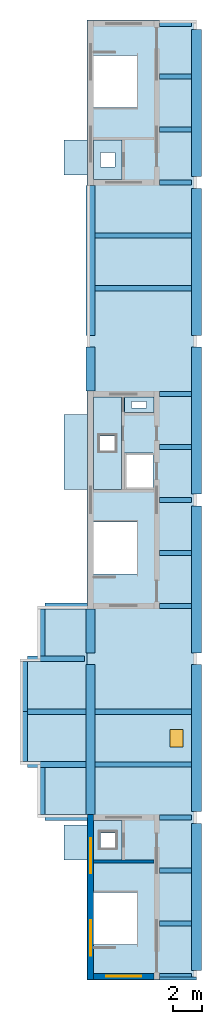
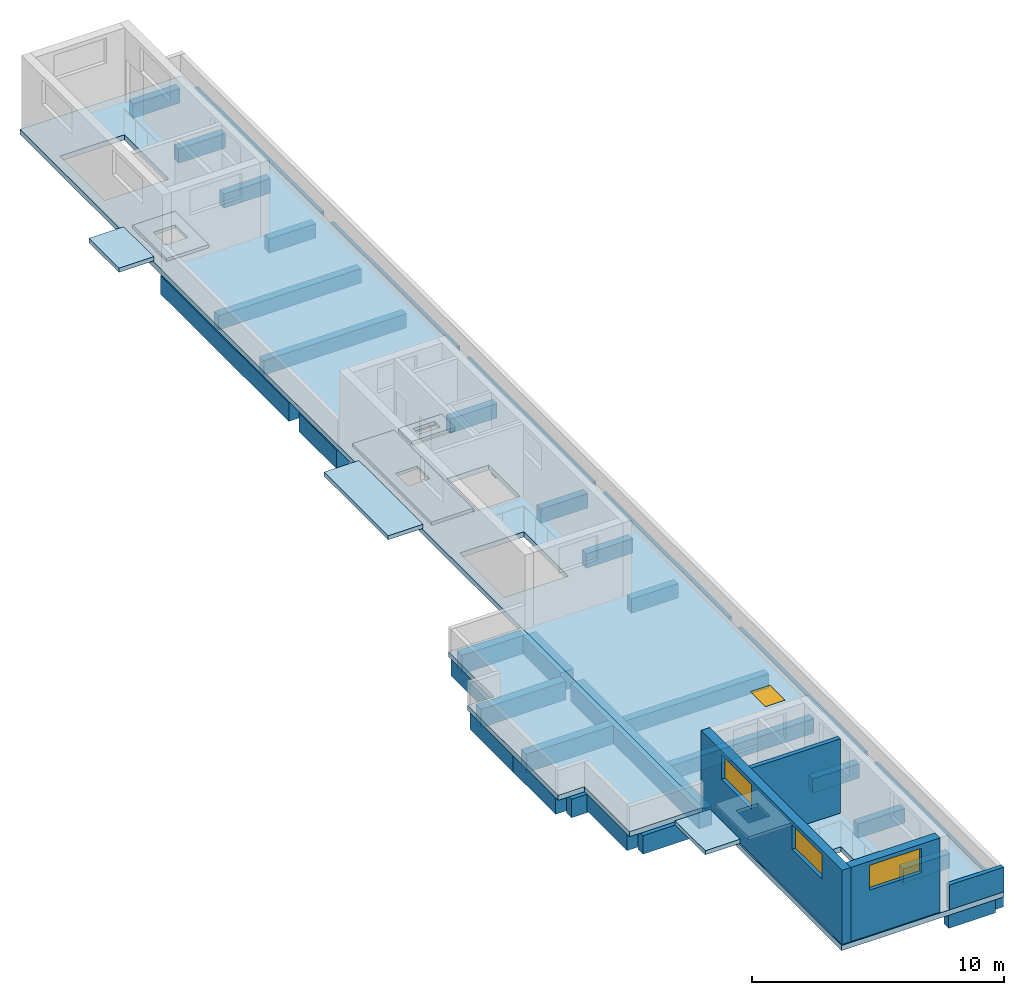
# One storey, part 1 of 4: 36 beams, 9 slabs, 4 walls, 4 windows, 4 openings.
"""IFC4 building model written with IfcOpenShell, lengths in metres."""

from ifc_helpers import new_model, si_unit, direction, frame, frame_2d, origin, origin_2d, place, context, subcontext, project, spatial, polyline, rectangle, outline, extrude, material, layer, layer_set, material_profile, profile_set, type_object, element, fill, save


model = new_model("IFC4")

# Units and contexts
model_context = context("Model", 3, precision=1e-05, world=origin(), true_north=direction((0.0, 1.0)))
body_context = subcontext(model_context, "Body", "Model", "MODEL_VIEW")
ifc_project = project(units=[si_unit("LENGTHUNIT", "METRE"), si_unit("AREAUNIT", "SQUARE_METRE"), si_unit("VOLUMEUNIT", "CUBIC_METRE"), si_unit("PLANEANGLEUNIT", "RADIAN"), si_unit("MASSUNIT", "GRAM", prefix="KILO")], contexts=[model_context])

# Site, building, storey
site_placement = place(None, origin())
site = spatial("IfcSite", under=ifc_project, at=site_placement, CompositionType="ELEMENT")
building_placement = place(site_placement, origin())
building = spatial("IfcBuilding", under=site, at=building_placement, Name="Basin Gate Institute", CompositionType="ELEMENT")
storey_placement = place(building_placement, frame((0.0, 0.0, 75.0)))
storey = spatial("IfcBuildingStorey", under=building, at=storey_placement, Name="RF", CompositionType="ELEMENT", Elevation=75.0)

# Beams
ifc_material_1 = material(Name="Concrete 40 MPa", Category="concrete")
ifc_material_profile_1 = material_profile(ifc_material_1, rectangle(XDim=0.35009765625, YDim=0.699951171875, at=origin_2d()), Name="Beam B1 350 x 700")
ifc_profile_set_1 = profile_set([ifc_material_profile_1], Name="Concrete 40 MPa")
beam_type_1 = type_object("IfcBeamType", Name="Beam B1 R60", PredefinedType="BEAM", material=ifc_profile_set_1)
for number, where, z_axis, x_axis, name in (
    (1, (65.89990234375, 35.10009765625, -0.60009765625), (1.0, 0.0, 0.0), (0.0, 1.0, 0.0), "BEAM/RF/W/CORR/01"),
    (2, (65.89990234375, 38.699951171875, -0.60009765625), (1.0, 0.0, 0.0), (0.0, 1.0, 0.0), "BEAM/RF/W/CORR/02"),
    (3, (65.89990234375, 42.300048828125, -0.60009765625), (1.0, 0.0, 0.0), (0.0, 1.0, 0.0), "BEAM/RF/W/CORR/03"),
    (4, (65.89990234375, 45.89990234375, -0.60009765625), (1.0, 0.0, 0.0), (0.0, 1.0, 0.0), "BEAM/RF/W/CORR/04"),
):
    element("IfcBeam", number, at=place(storey_placement, frame(where, z_axis=z_axis, x_axis=x_axis)), inside=storey, type_object=beam_type_1, material=ifc_profile_set_1, Name=name, PredefinedType="BEAM", context=body_context, shape_type="SweptSolid", body=[
        extrude(rectangle(XDim=0.35009765625, YDim=0.699951171875, at=origin_2d()), origin(), (0.0, 0.0, 1.0), 2.150146484375),
    ])
for number, where, z_axis, x_axis, name in (
    (5, (61.5, 49.5, -0.60009765625), (1.0, 0.0, 0.0), (0.0, 1.0, 0.0), "BEAM/RF/W/OUT/05"),
    (6, (61.5, 53.10009765625, -0.60009765625), (1.0, 0.0, 0.0), (0.0, 1.0, 0.0), "BEAM/RF/W/OUT/06"),
):
    element("IfcBeam", number, at=place(storey_placement, frame(where, z_axis=z_axis, x_axis=x_axis)), inside=storey, type_object=beam_type_1, material=ifc_profile_set_1, Name=name, PredefinedType="BEAM", context=body_context, shape_type="SweptSolid", body=[
        extrude(rectangle(XDim=0.35009765625, YDim=0.699951171875, at=origin_2d()), origin(), (0.0, 0.0, 1.0), 6.550048828125),
    ])
for number, where, z_axis, x_axis, name in (
    (7, (65.89990234375, 60.300048828125, -0.60009765625), (1.0, 0.0, 0.0), (0.0, 1.0, 0.0), "BEAM/RF/W/CORR/08"),
    (8, (65.89990234375, 63.89990234375, -0.60009765625), (1.0, 0.0, 0.0), (0.0, 1.0, 0.0), "BEAM/RF/W/CORR/09"),
    (9, (65.89990234375, 67.5, -0.60009765625), (1.0, 0.0, 0.0), (0.0, 1.0, 0.0), "BEAM/RF/W/CORR/10"),
    (10, (65.89990234375, 71.10009765625, -0.60009765625), (1.0, 0.0, 0.0), (0.0, 1.0, 0.0), "BEAM/RF/W/CORR/11"),
    (11, (65.89990234375, 74.699951171875, -0.60009765625), (1.0, 0.0, 0.0), (0.0, 1.0, 0.0), "BEAM/RF/W/CORR/12"),
):
    element("IfcBeam", number, at=place(storey_placement, frame(where, z_axis=z_axis, x_axis=x_axis)), inside=storey, type_object=beam_type_1, material=ifc_profile_set_1, Name=name, PredefinedType="BEAM", context=body_context, shape_type="SweptSolid", body=[
        extrude(rectangle(XDim=0.35009765625, YDim=0.699951171875, at=origin_2d()), origin(), (0.0, 0.0, 1.0), 2.150146484375),
    ])
for number, where, z_axis, x_axis, name in (
    (12, (61.5, 81.89990234375, -0.60009765625), (1.0, 0.0, 0.0), (0.0, 1.0, 0.0), "BEAM/RF/W/OUT/14"),
    (13, (61.5, 85.5, -0.60009765625), (1.0, 0.0, 0.0), (0.0, 1.0, 0.0), "BEAM/RF/W/OUT/15"),
):
    element("IfcBeam", number, at=place(storey_placement, frame(where, z_axis=z_axis, x_axis=x_axis)), inside=storey, type_object=beam_type_1, material=ifc_profile_set_1, Name=name, PredefinedType="BEAM", context=body_context, shape_type="SweptSolid", body=[
        extrude(rectangle(XDim=0.35009765625, YDim=0.699951171875, at=origin_2d()), origin(), (0.0, 0.0, 1.0), 6.550048828125),
    ])
for number, where, z_axis, x_axis, name in (
    (14, (65.89990234375, 89.10009765625, -0.60009765625), (1.0, 0.0, 0.0), (0.0, 1.0, 0.0), "BEAM/RF/W/CORR/16"),
    (15, (65.89990234375, 92.699951171875, -0.60009765625), (1.0, 0.0, 0.0), (0.0, 1.0, 0.0), "BEAM/RF/W/CORR/17"),
    (16, (65.89990234375, 96.300048828125, -0.60009765625), (1.0, 0.0, 0.0), (0.0, 1.0, 0.0), "BEAM/RF/W/CORR/18"),
    (17, (65.89990234375, 99.89990234375, -0.60009765625), (1.0, 0.0, 0.0), (0.0, 1.0, 0.0), "BEAM/RF/W/CORR/19"),
):
    element("IfcBeam", number, at=place(storey_placement, frame(where, z_axis=z_axis, x_axis=x_axis)), inside=storey, type_object=beam_type_1, material=ifc_profile_set_1, Name=name, PredefinedType="BEAM", context=body_context, shape_type="SweptSolid", body=[
        extrude(rectangle(XDim=0.35009765625, YDim=0.699951171875, at=origin_2d()), origin(), (0.0, 0.0, 1.0), 2.150146484375),
    ])
ifc_material_2 = material(Name="Concrete 50 MPa", Category="concrete")
ifc_material_profile_2 = material_profile(ifc_material_2, rectangle(XDim=0.39990234375, YDim=0.89990234375, at=origin_2d()), Name="Cantilever beam B3 400 x 900")
ifc_profile_set_2 = profile_set([ifc_material_profile_2], Name="Concrete 50 MPa")
beam_type_2 = type_object("IfcBeamType", Name="Cantilever beam B3 R60", PredefinedType="BEAM", material=ifc_profile_set_2)
beam_1_placement = place(storey_placement, frame((58.10009765625, 45.89990234375, -0.699951171875), z_axis=(1.0, 0.0, 0.0), x_axis=(0.0, 1.0, 0.0)))
element("IfcBeam", 18, at=beam_1_placement, inside=storey, type_object=beam_type_2, material=ifc_profile_set_2, Name="BEAM/RF/W/CANT/04", PredefinedType="BEAM", context=body_context, shape_type="SweptSolid", body=[
    extrude(rectangle(XDim=0.39990234375, YDim=0.89990234375, at=origin_2d()), origin(), (0.0, 0.0, 1.0), 2.89990234375),
])
for number, where, z_axis, x_axis, name in (
    (19, (56.89990234375, 49.5, -0.699951171875), (1.0, 0.0, 0.0), (0.0, 1.0, 0.0), "BEAM/RF/W/CANT/05"),
    (20, (56.89990234375, 53.10009765625, -0.699951171875), (1.0, 0.0, 0.0), (0.0, 1.0, 0.0), "BEAM/RF/W/CANT/06"),
):
    element("IfcBeam", number, at=place(storey_placement, frame(where, z_axis=z_axis, x_axis=x_axis)), inside=storey, type_object=beam_type_2, material=ifc_profile_set_2, Name=name, PredefinedType="BEAM", context=body_context, shape_type="SweptSolid", body=[
        extrude(rectangle(XDim=0.39990234375, YDim=0.89990234375, at=origin_2d()), origin(), (0.0, 0.0, 1.0), 4.0),
    ])
beam_2_placement = place(storey_placement, frame((56.89990234375, 56.699951171875, -0.699951171875), z_axis=(1.0, 0.0, 0.0), x_axis=(0.0, 1.0, 0.0)))
element("IfcBeam", 21, at=beam_2_placement, inside=storey, type_object=beam_type_2, material=ifc_profile_set_2, Name="BEAM/RF/W/CANT/07", PredefinedType="BEAM", context=body_context, shape_type="SweptSolid", body=[
    extrude(rectangle(XDim=0.39990234375, YDim=0.89990234375, at=origin_2d()), origin(), (0.0, 0.0, 1.0), 3.900146484375),
])
beam_3_placement = place(storey_placement, frame((58.10009765625, 60.300048828125, -0.699951171875), z_axis=(1.0, 0.0, 0.0), x_axis=(0.0, 1.0, 0.0)))
element("IfcBeam", 22, at=beam_3_placement, inside=storey, type_object=beam_type_2, material=ifc_profile_set_2, Name="BEAM/RF/W/CANT/08", PredefinedType="BEAM", context=body_context, shape_type="SweptSolid", body=[
    extrude(rectangle(XDim=0.39990234375, YDim=0.89990234375, at=origin_2d()), origin(), (0.0, 0.0, 1.0), 2.89990234375),
])
ifc_material_3 = material(Name="Concrete 50 MPa", Category="concrete")
ifc_material_profile_3 = material_profile(ifc_material_3, rectangle(XDim=0.60009765625, YDim=0.89990234375, at=origin_2d()), Name="Edge beam EB1 600 x 900")
ifc_profile_set_3 = profile_set([ifc_material_profile_3], Name="Concrete 50 MPa")
beam_type_3 = type_object("IfcBeamType", Name="Edge beam EB1 R60", PredefinedType="SPANDREL", material=ifc_profile_set_3)
for number, where, z_axis, x_axis, name in (
    (23, (61.199951171875, 46.10009765625, -0.699951171875), (0.0, 1.0, 0.0), (-1.0, 0.0, 0.0), "BEAM/RF/W/EDGE/1"),
    (24, (61.199951171875, 78.699951171875, -0.699951171875), (0.0, 1.0, 0.0), (-1.0, 0.0, 0.0), "BEAM/RF/W/EDGE/4"),
):
    element("IfcBeam", number, at=place(storey_placement, frame(where, z_axis=z_axis, x_axis=x_axis)), inside=storey, type_object=beam_type_3, material=ifc_profile_set_3, Name=name, PredefinedType="SPANDREL", context=body_context, shape_type="SweptSolid", body=[
        extrude(rectangle(XDim=0.60009765625, YDim=0.89990234375, at=origin_2d()), origin(), (0.0, 0.0, 1.0), 10.199951171875),
    ])
ifc_material_4 = material(Name="Concrete 50 MPa", Category="concrete")
ifc_material_profile_4 = material_profile(ifc_material_4, rectangle(XDim=0.60009765625, YDim=0.89990234375, at=origin_2d()), Name="Edge return beam EB3 600 x 900")
ifc_profile_set_4 = profile_set([ifc_material_profile_4], Name="Concrete 50 MPa")
beam_type_4 = type_object("IfcBeamType", Name="Edge return beam EB3 R60", PredefinedType="SPANDREL", material=ifc_profile_set_4)
for number, where, z_axis, x_axis, name in (
    (25, (61.199951171875, 57.10009765625, -0.699951171875), (0.0, 1.0, 0.0), (-1.0, 0.0, 0.0), "BEAM/RF/W/EDGE/2"),
    (26, (61.199951171875, 74.89990234375, -0.699951171875), (0.0, 1.0, 0.0), (-1.0, 0.0, 0.0), "BEAM/RF/W/EDGE/3"),
):
    element("IfcBeam", number, at=place(storey_placement, frame(where, z_axis=z_axis, x_axis=x_axis)), inside=storey, type_object=beam_type_4, material=ifc_profile_set_4, Name=name, PredefinedType="SPANDREL", context=body_context, shape_type="SweptSolid", body=[
        extrude(rectangle(XDim=0.60009765625, YDim=0.89990234375, at=origin_2d()), origin(), (0.0, 0.0, 1.0), 3.0),
    ])
ifc_material_5 = material(Name="Concrete 50 MPa", Category="concrete")
ifc_material_profile_5 = material_profile(ifc_material_5, rectangle(XDim=0.699951171875, YDim=1.0, at=origin_2d()), Name="Girder G1 700 x 1000")
ifc_profile_set_5 = profile_set([ifc_material_profile_5], Name="Concrete 50 MPa")
beam_type_5 = type_object("IfcBeamType", Name="Girder G1 R60", PredefinedType="BEAM", material=ifc_profile_set_5)
for number, where, z_axis, x_axis, name in (
    (27, (68.39990234375, 35.5, -0.75), (0.0, 1.0, 0.0), (-1.0, 0.0, 0.0), "GIR/RF/W5/1"),
    (28, (68.39990234375, 46.300048828125, -0.75), (0.0, 1.0, 0.0), (-1.0, 0.0, 0.0), "GIR/RF/W5/2"),
    (29, (68.39990234375, 57.10009765625, -0.75), (0.0, 1.0, 0.0), (-1.0, 0.0, 0.0), "GIR/RF/W5/3"),
    (30, (68.39990234375, 67.89990234375, -0.75), (0.0, 1.0, 0.0), (-1.0, 0.0, 0.0), "GIR/RF/W5/4"),
    (31, (68.39990234375, 78.699951171875, -0.75), (0.0, 1.0, 0.0), (-1.0, 0.0, 0.0), "GIR/RF/W5/5"),
    (32, (68.39990234375, 89.5, -0.75), (0.0, 1.0, 0.0), (-1.0, 0.0, 0.0), "GIR/RF/W5/6"),
):
    element("IfcBeam", number, at=place(storey_placement, frame(where, z_axis=z_axis, x_axis=x_axis)), inside=storey, type_object=beam_type_5, material=ifc_profile_set_5, Name=name, PredefinedType="BEAM", context=body_context, shape_type="SweptSolid", body=[
        extrude(rectangle(XDim=0.699951171875, YDim=1.0, at=origin_2d()), origin(), (0.0, 0.0, 1.0), 10.0),
    ])
ifc_material_6 = material(Name="Concrete 50 MPa", Category="concrete")
ifc_material_profile_6 = material_profile(ifc_material_6, rectangle(XDim=0.5, YDim=0.800048828125, at=origin_2d()), Name="Tip beam TB1 500 x 800")
ifc_profile_set_6 = profile_set([ifc_material_profile_6], Name="Concrete 50 MPa")
beam_type_6 = type_object("IfcBeamType", Name="Tip beam TB1 R60", PredefinedType="SPANDREL", material=ifc_profile_set_6)
beam_4_placement = place(storey_placement, frame((57.85009765625, 46.10009765625, -0.64990234375), z_axis=(0.0, 1.0, 0.0), x_axis=(-1.0, 0.0, 0.0)))
element("IfcBeam", 33, at=beam_4_placement, inside=storey, type_object=beam_type_6, material=ifc_profile_set_6, Name="BEAM/RF/W/TIP/1", PredefinedType="SPANDREL", context=body_context, shape_type="SweptSolid", body=[
    extrude(rectangle(XDim=0.5, YDim=0.800048828125, at=origin_2d()), origin(), (0.0, 0.0, 1.0), 3.199951171875),
])
beam_5_placement = place(storey_placement, frame((56.64990234375, 49.699951171875, -0.64990234375), z_axis=(0.0, 1.0, 0.0), x_axis=(-1.0, 0.0, 0.0)))
element("IfcBeam", 34, at=beam_5_placement, inside=storey, type_object=beam_type_6, material=ifc_profile_set_6, Name="BEAM/RF/W/TIP/2", PredefinedType="SPANDREL", context=body_context, shape_type="SweptSolid", body=[
    extrude(rectangle(XDim=0.5, YDim=0.800048828125, at=origin_2d()), origin(), (0.0, 0.0, 1.0), 3.400146484375),
])
beam_6_placement = place(storey_placement, frame((56.64990234375, 53.10009765625, -0.64990234375), z_axis=(0.0, 1.0, 0.0), x_axis=(-1.0, 0.0, 0.0)))
element("IfcBeam", 35, at=beam_6_placement, inside=storey, type_object=beam_type_6, material=ifc_profile_set_6, Name="BEAM/RF/W/TIP/3", PredefinedType="SPANDREL", context=body_context, shape_type="SweptSolid", body=[
    extrude(rectangle(XDim=0.5, YDim=0.800048828125, at=origin_2d()), origin(), (0.0, 0.0, 1.0), 3.39990234375),
])
beam_7_placement = place(storey_placement, frame((57.85009765625, 56.89990234375, -0.64990234375), z_axis=(0.0, 1.0, 0.0), x_axis=(-1.0, 0.0, 0.0)))
element("IfcBeam", 36, at=beam_7_placement, inside=storey, type_object=beam_type_6, material=ifc_profile_set_6, Name="BEAM/RF/W/TIP/4", PredefinedType="SPANDREL", context=body_context, shape_type="SweptSolid", body=[
    extrude(rectangle(XDim=0.5, YDim=0.800048828125, at=origin_2d()), origin(), (0.0, 0.0, 1.0), 3.2001953125),
])

# Slabs
ifc_material_7 = material(Name="Concrete 40 MPa", Category="concrete")
ifc_layer_1 = layer(ifc_material_7, 0.14990234375)
ifc_layer_set_1 = layer_set([ifc_layer_1], Name="Concrete 40 MPa")
slab_type_1 = type_object("IfcSlabType", Name="Penthouse floor slab FS2 R60", PredefinedType="FLOOR", material=ifc_layer_set_1)
slab_1_placement = place(storey_placement, origin())
element("IfcSlab", 37, at=slab_1_placement, inside=storey, type_object=slab_type_1, material=ifc_layer_set_1, Name="Penthouse floor slab FS2 Exhaust Fan Room WS", PredefinedType="FLOOR", context=body_context, shape_type="SweptSolid", body=[
    extrude(outline(polyline([(61.39990234375, 43.02490234375), (63.35009765625, 43.02490234375), (63.35009765625, 45.699951171875), (61.39990234375, 45.699951171875), (61.39990234375, 43.02490234375)]), holes=[polyline([(61.875, 43.862548828125), (62.875, 43.862548828125), (62.875, 44.862548828125), (61.875, 44.862548828125), (61.875, 43.862548828125)])]), origin(), (0.0, 0.0, 1.0), 0.14990234375),
])
slab_2_placement = place(storey_placement, origin())
element("IfcSlab", 38, at=slab_2_placement, inside=storey, type_object=slab_type_1, material=ifc_layer_set_1, Name="Penthouse floor slab FS2 Exhaust Fan Room WM", PredefinedType="FLOOR", context=body_context, shape_type="SweptSolid", body=[
    extrude(outline(polyline([(61.39990234375, 68.22509765625), (63.300048828125, 68.22509765625), (63.300048828125, 74.5), (61.39990234375, 74.5), (61.39990234375, 68.22509765625)]), holes=[polyline([(61.85009765625, 70.862548828125), (62.85009765625, 70.862548828125), (62.85009765625, 71.862548828125), (61.85009765625, 71.862548828125), (61.85009765625, 70.862548828125)])]), origin(), (0.0, 0.0, 1.0), 0.14990234375),
])
slab_3_placement = place(storey_placement, origin())
element("IfcSlab", 39, at=slab_3_placement, inside=storey, type_object=slab_type_1, material=ifc_layer_set_1, Name="Penthouse floor slab FS2 Riser Room WM", PredefinedType="FLOOR", context=body_context, shape_type="SweptSolid", body=[
    extrude(outline(polyline([(63.5, 73.449951171875), (65.5, 73.449951171875), (65.5, 74.5), (63.5, 74.5), (63.5, 73.449951171875)]), holes=[polyline([(64.0, 73.75), (65.0, 73.75), (65.0, 74.199951171875), (64.0, 74.199951171875), (64.0, 73.75)])]), origin(), (0.0, 0.0, 1.0), 0.14990234375),
])
slab_4_placement = place(storey_placement, origin())
element("IfcSlab", 40, at=slab_4_placement, inside=storey, type_object=slab_type_1, material=ifc_layer_set_1, Name="Penthouse floor slab FS2 Electrical Room WN", PredefinedType="FLOOR", context=body_context, shape_type="SweptSolid", body=[
    extrude(outline(polyline([(61.39990234375, 89.300048828125), (63.35009765625, 89.300048828125), (63.35009765625, 91.97509765625), (61.39990234375, 91.97509765625), (61.39990234375, 89.300048828125)]), holes=[polyline([(61.875, 90.137451171875), (62.875, 90.137451171875), (62.875, 91.137451171875), (61.875, 91.137451171875), (61.875, 90.137451171875)])]), origin(), (0.0, 0.0, 1.0), 0.14990234375),
])

# Slab, opening, window
ifc_material_8 = material(Name="Concrete 40 MPa", Category="concrete")
ifc_layer_2 = layer(ifc_material_8, 0.25)
ifc_layer_set_2 = layer_set([ifc_layer_2], Name="Concrete 40 MPa")
slab_type_2 = type_object("IfcSlabType", Name="Slab RS4 R60", PredefinedType="ROOF", material=ifc_layer_set_2)
slab_5_placement = place(storey_placement, frame((0.0, 0.0, -0.25)))
slab_5 = element("IfcSlab", 41, at=slab_5_placement, inside=storey, type_object=slab_type_2, material=ifc_layer_set_2, Name="SLAB/RF/W", PredefinedType="ROOF", context=body_context, shape_type="SweptSolid", body=[
    extrude(outline(polyline([(60.949951171875, 34.85009765625), (68.39990234375, 34.85009765625), (68.39990234375, 100.14990234375), (60.949951171875, 100.14990234375), (60.949951171875, 34.85009765625)]), holes=[polyline([(61.39990234375, 37.25), (64.35009765625, 37.25), (64.35009765625, 40.7900390625), (61.39990234375, 40.7900390625), (61.39990234375, 37.25)]), polyline([(61.39990234375, 62.449951171875), (64.35009765625, 62.449951171875), (64.35009765625, 65.989990234375), (61.39990234375, 65.989990234375), (61.39990234375, 62.449951171875)]), polyline([(61.39990234375, 94.2099609375), (64.35009765625, 94.2099609375), (64.35009765625, 97.75), (61.39990234375, 97.75), (61.39990234375, 94.2099609375)]), polyline([(61.449951171875, 43.0), (63.39990234375, 43.0), (63.39990234375, 45.39990234375), (61.449951171875, 45.39990234375), (61.449951171875, 43.0)]), polyline([(61.449951171875, 68.199951171875), (63.39990234375, 68.199951171875), (63.39990234375, 73.300048828125), (61.449951171875, 73.300048828125), (61.449951171875, 68.199951171875)]), polyline([(63.5, 73.39990234375), (65.449951171875, 73.39990234375), (65.449951171875, 74.39990234375), (63.5, 74.39990234375), (63.5, 73.39990234375)]), polyline([(61.449951171875, 89.60009765625), (63.39990234375, 89.60009765625), (63.39990234375, 92.0), (61.449951171875, 92.0), (61.449951171875, 89.60009765625)]), polyline([(63.5, 68.199951171875), (65.449951171875, 68.199951171875), (65.449951171875, 70.699951171875), (63.5, 70.699951171875), (63.5, 68.199951171875)]), polyline([(66.60009765625, 50.699951171875), (67.5, 50.699951171875), (67.5, 51.89990234375), (66.60009765625, 51.89990234375), (66.60009765625, 50.699951171875)])]), origin(), (0.0, 0.0, 1.0), 0.25),
])
opening_1_placement = place(slab_5_placement, frame((67.050048828125, 51.300048828125, 0.0)))
opening_1 = element("IfcOpeningElement", 42, at=opening_1_placement, cuts=slab_5, Name="Opening RH1", PredefinedType="OPENING", context=body_context, shape_type="SweptSolid", body=[
    extrude(rectangle(XDim=0.89990234375, YDim=1.199951171875, at=origin_2d()), origin(), (0.0, 0.0, 1.0), 0.25),
])
ifc_material_9 = material(Name="Aluminium", Category="aluminium")
window_type_1 = type_object("IfcWindowType", Name="Roof access hatch RH1", PartitioningType="SINGLE_PANEL", PredefinedType="SKYLIGHT", material=ifc_material_9)
window_1_placement = place(opening_1_placement, frame((0.0, 0.0, 0.199951171875)))
window_1 = element("IfcWindow", 43, at=window_1_placement, inside=storey, type_object=window_type_1, material=ifc_material_9, Name="Roof access hatch RH1 W", OverallHeight=1.199951171875, OverallWidth=0.89990234375, PartitioningType="SINGLE_PANEL", PredefinedType="SKYLIGHT", context=body_context, shape_type="SweptSolid", body=[
    extrude(rectangle(XDim=0.89990234375, YDim=1.199951171875, at=origin_2d()), origin(), (0.0, 0.0, 1.0), 0.050048828125),
])
fill(opening_1, window_1)

# Slabs
slab_6_placement = place(storey_placement, frame((0.0, 0.0, -0.25)))
element("IfcSlab", 44, at=slab_6_placement, inside=storey, type_object=slab_type_2, material=ifc_layer_set_2, Name="SLAB/RF/WK11", PredefinedType="ROOF", context=body_context, shape_type="SweptSolid", body=[
    extrude(outline(polyline([(57.60009765625, 45.89990234375), (57.60009765625, 49.5), (56.39990234375, 49.5), (56.39990234375, 56.699951171875), (57.60009765625, 56.699951171875), (57.60009765625, 60.300048828125), (60.949951171875, 60.300048828125), (60.949951171875, 45.89990234375), (57.60009765625, 45.89990234375)])), origin(), (0.0, 0.0, 1.0), 0.25),
])
ifc_material_10 = material(Name="Concrete 40 MPa", Category="concrete")
ifc_layer_3 = layer(ifc_material_10, 0.199951171875)
ifc_layer_set_3 = layer_set([ifc_layer_3], Name="Concrete 40 MPa")
slab_type_3 = type_object("IfcSlabType", Name="Slab RS8 R60", PredefinedType="ROOF", material=ifc_layer_set_3)
slab_7_placement = place(storey_placement, origin())
element("IfcSlab", 45, at=slab_7_placement, inside=storey, type_object=slab_type_3, material=ifc_layer_set_3, Name="SLAB/L14/WS/SKCAP", PredefinedType="ROOF", context=body_context, shape_type="SweptSolid", body=[
    extrude(outline(polyline([(59.39990234375, 43.0), (61.0, 43.0), (61.0, 45.39990234375), (59.39990234375, 45.39990234375), (59.39990234375, 43.0)])), origin(), (0.0, 0.0, 1.0), 0.199951171875),
])
slab_8_placement = place(storey_placement, origin())
element("IfcSlab", 46, at=slab_8_placement, inside=storey, type_object=slab_type_3, material=ifc_layer_set_3, Name="SLAB/L14/WM/SKCAP", PredefinedType="ROOF", context=body_context, shape_type="SweptSolid", body=[
    extrude(outline(polyline([(59.39990234375, 68.199951171875), (61.0, 68.199951171875), (61.0, 73.300048828125), (59.39990234375, 73.300048828125), (59.39990234375, 68.199951171875)])), origin(), (0.0, 0.0, 1.0), 0.199951171875),
])
slab_9_placement = place(storey_placement, origin())
element("IfcSlab", 47, at=slab_9_placement, inside=storey, type_object=slab_type_3, material=ifc_layer_set_3, Name="SLAB/L14/WN/SKCAP", PredefinedType="ROOF", context=body_context, shape_type="SweptSolid", body=[
    extrude(outline(polyline([(59.39990234375, 89.60009765625), (61.0, 89.60009765625), (61.0, 92.0), (59.39990234375, 92.0), (59.39990234375, 89.60009765625)])), origin(), (0.0, 0.0, 1.0), 0.199951171875),
])

# Walls
ifc_material_11 = material(Name="Concrete 40 MPa", Category="concrete")
ifc_layer_4 = layer(ifc_material_11, 0.199951171875)
ifc_layer_set_4 = layer_set([ifc_layer_4], Name="Concrete 40 MPa")
wall_type_1 = type_object("IfcWallType", Name="Parapet wall PA1", PredefinedType="PARAPET", material=ifc_layer_set_4)
wall_1_placement = place(storey_placement, frame((68.39990234375, 34.949951171875, 0.0), z_axis=(0.0, 0.0, 1.0), x_axis=(-1.0, 0.0, 0.0)))
element("IfcWall", 48, at=wall_1_placement, inside=storey, type_object=wall_type_1, material=ifc_layer_set_4, Name="Parapet wall PA1 RF W10", PredefinedType="PARAPET", context=body_context, shape_type="SweptSolid", body=[
    extrude(rectangle(XDim=2.5, YDim=0.199951171875, at=frame_2d((1.25, 0.0))), origin(), (0.0, 0.0, 1.0), 1.199951171875),
])
ifc_material_12 = material(Name="Concrete 40 MPa", Category="concrete")
ifc_layer_5 = layer(ifc_material_12, 0.199951171875)
ifc_layer_set_5 = layer_set([ifc_layer_5], Name="Concrete 40 MPa")
wall_type_2 = type_object("IfcWallType", Name="Penthouse partition wall RW2 R60", PredefinedType="SOLIDWALL", material=ifc_layer_set_5)
wall_2_placement = place(storey_placement, frame((61.39990234375, 42.925048828125, 0.0), z_axis=(0.0, 0.0, 1.0), x_axis=(1.0, 0.0, 0.0)))
element("IfcWall", 49, at=wall_2_placement, inside=storey, type_object=wall_type_2, material=ifc_layer_set_5, Name="Penthouse partition RW2 WS", PredefinedType="SOLIDWALL", context=body_context, shape_type="SweptSolid", body=[
    extrude(rectangle(XDim=4.10009765625, YDim=0.199951171875, at=frame_2d((2.050048828125, 0.0))), origin(), (0.0, 0.0, 1.0), 3.60009765625),
])

# Wall, openings, windows
ifc_material_13 = material(Name="Concrete 50 MPa", Category="concrete")
ifc_layer_6 = layer(ifc_material_13, 0.39990234375)
ifc_layer_set_6 = layer_set([ifc_layer_6], Name="Concrete 50 MPa")
wall_type_3 = type_object("IfcWallType", Name="Wall SW2 R60", PredefinedType="SHEAR", material=ifc_layer_set_6)
wall_3_placement = place(storey_placement, frame((61.199951171875, 34.89990234375, 0.0), z_axis=(0.0, 0.0, 1.0), x_axis=(0.0, 1.0, 0.0)))
wall_3 = element("IfcWall", 50, at=wall_3_placement, inside=storey, type_object=wall_type_3, material=ifc_layer_set_6, Name="WALL/RF/WS/L", PredefinedType="SHEAR", context=body_context, shape_type="SweptSolid", body=[
    extrude(rectangle(XDim=11.2001953125, YDim=0.39990234375, at=frame_2d((5.60009765625, 0.0))), origin(), (0.0, 0.0, 1.0), 3.60009765625),
])
opening_2_placement = place(wall_3_placement, frame((1.60009765625, 0.0, 2.199951171875)))
opening_2 = element("IfcOpeningElement", 51, at=opening_2_placement, cuts=wall_3, Name="Opening LV1", PredefinedType="OPENING", context=body_context, shape_type="SweptSolid", body=[
    extrude(rectangle(XDim=2.39990234375, YDim=1.199951171875, at=frame_2d((1.199951171875, 0.60009765625))), frame((0.0, 0.2099609375, 0.0), z_axis=(0.0, -1.0, 0.0), x_axis=(1.0, 0.0, 0.0)), (0.0, 0.0, 1.0), 0.419921875),
])
opening_3_placement = place(wall_3_placement, frame((7.199951171875, 0.0, 2.199951171875)))
opening_3 = element("IfcOpeningElement", 52, at=opening_3_placement, cuts=wall_3, Name="Opening LV1", PredefinedType="OPENING", context=body_context, shape_type="SweptSolid", body=[
    extrude(rectangle(XDim=2.39990234375, YDim=1.199951171875, at=frame_2d((1.199951171875, 0.60009765625))), frame((0.0, 0.2099609375, 0.0), z_axis=(0.0, -1.0, 0.0), x_axis=(1.0, 0.0, 0.0)), (0.0, 0.0, 1.0), 0.419921875),
])
ifc_material_14 = material(Name="Aluminium louvre", Category="aluminium")
window_type_2 = type_object("IfcWindowType", Name="Exhaust louvre LV1", PartitioningType="SINGLE_PANEL", PredefinedType="USERDEFINED", material=ifc_material_14)
window_2_placement = place(opening_2_placement, origin())
window_2 = element("IfcWindow", 53, at=window_2_placement, inside=storey, type_object=window_type_2, material=ifc_material_14, Name="Exhaust louvre LV1 WS stack L1", ObjectType="LOUVRE", OverallHeight=1.199951171875, OverallWidth=2.39990234375, PartitioningType="SINGLE_PANEL", PredefinedType="USERDEFINED", context=body_context, shape_type="SweptSolid", body=[
    extrude(rectangle(XDim=2.39990234375, YDim=1.199951171875, at=frame_2d((1.199951171875, 0.60009765625))), frame((0.0, 0.030029296875, 0.0), z_axis=(0.0, -1.0, 0.0), x_axis=(1.0, 0.0, 0.0)), (0.0, 0.0, 1.0), 0.06005859375),
])
fill(opening_2, window_2)
window_3_placement = place(opening_3_placement, origin())
window_3 = element("IfcWindow", 54, at=window_3_placement, inside=storey, type_object=window_type_2, material=ifc_material_14, Name="Exhaust louvre LV1 WS stack L2", ObjectType="LOUVRE", OverallHeight=1.199951171875, OverallWidth=2.39990234375, PartitioningType="SINGLE_PANEL", PredefinedType="USERDEFINED", context=body_context, shape_type="SweptSolid", body=[
    extrude(rectangle(XDim=2.39990234375, YDim=1.199951171875, at=frame_2d((1.199951171875, 0.60009765625))), frame((0.0, 0.030029296875, 0.0), z_axis=(0.0, -1.0, 0.0), x_axis=(1.0, 0.0, 0.0)), (0.0, 0.0, 1.0), 0.06005859375),
])
fill(opening_3, window_3)

# Wall, opening, window
wall_4_placement = place(storey_placement, frame((61.39990234375, 35.10009765625, 0.0), z_axis=(0.0, 0.0, 1.0), x_axis=(1.0, 0.0, 0.0)))
wall_4 = element("IfcWall", 55, at=wall_4_placement, inside=storey, type_object=wall_type_3, material=ifc_layer_set_6, Name="WALL/RF/WS/S", PredefinedType="SHEAR", context=body_context, shape_type="SweptSolid", body=[
    extrude(rectangle(XDim=4.10009765625, YDim=0.39990234375, at=frame_2d((2.050048828125, 0.0))), origin(), (0.0, 0.0, 1.0), 3.60009765625),
])
opening_4_placement = place(wall_4_placement, frame((0.85009765625, 0.0, 2.199951171875)))
opening_4 = element("IfcOpeningElement", 56, at=opening_4_placement, cuts=wall_4, Name="Opening LV1", PredefinedType="OPENING", context=body_context, shape_type="SweptSolid", body=[
    extrude(rectangle(XDim=2.39990234375, YDim=1.199951171875, at=frame_2d((1.199951171875, 0.60009765625))), frame((0.0, 0.2099609375, 0.0), z_axis=(0.0, -1.0, 0.0), x_axis=(1.0, 0.0, 0.0)), (0.0, 0.0, 1.0), 0.419921875),
])
window_4_placement = place(opening_4_placement, origin())
window_4 = element("IfcWindow", 57, at=window_4_placement, inside=storey, type_object=window_type_2, material=ifc_material_14, Name="Exhaust louvre LV1 WS stack S1", ObjectType="LOUVRE", OverallHeight=1.199951171875, OverallWidth=2.39990234375, PartitioningType="SINGLE_PANEL", PredefinedType="USERDEFINED", context=body_context, shape_type="SweptSolid", body=[
    extrude(rectangle(XDim=2.39990234375, YDim=1.199951171875, at=frame_2d((1.199951171875, 0.60009765625))), frame((0.0, 0.030029296875, 0.0), z_axis=(0.0, -1.0, 0.0), x_axis=(1.0, 0.0, 0.0)), (0.0, 0.0, 1.0), 0.06005859375),
])
fill(opening_4, window_4)

save(model, "model.ifc")
